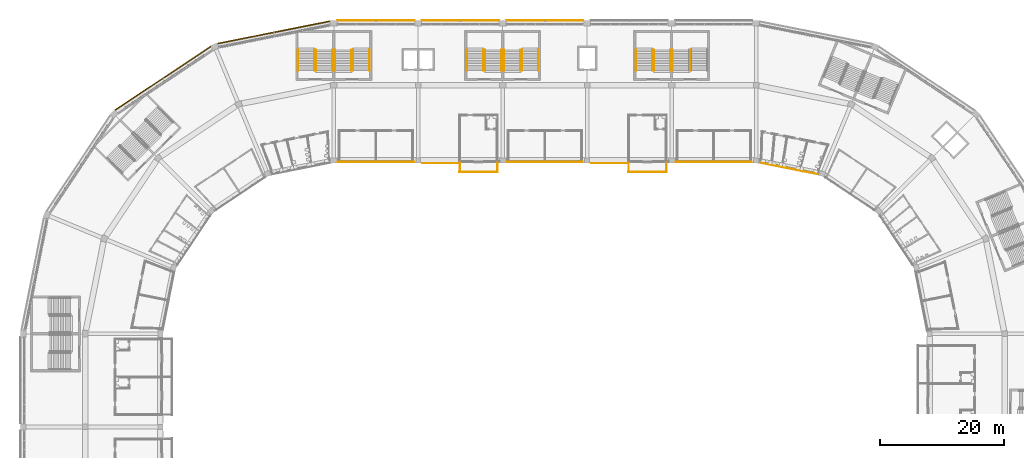
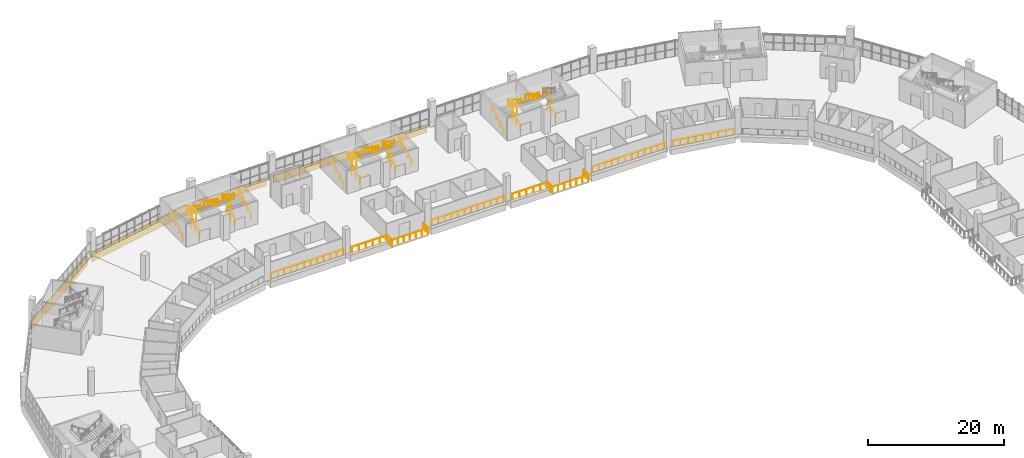
# One storey, part 190 of 199: 45 railings, 5 coverings.
"""IFC4 building model written with IfcOpenShell, lengths in metres."""

from ifc_helpers import new_model, si_unit, direction, frame, origin, origin_2d, place, context, subcontext, project, spatial, polyline, circle, outline, extrude, material, layer, layer_set, type_object, element, save


model = new_model("IFC4")

# Units and contexts
model_context = context("Model", 3, precision=1e-05, world=origin(), true_north=direction((0.0, 1.0)))
body_context = subcontext(model_context, "Body", "Model", "MODEL_VIEW")
ifc_project = project(units=[si_unit("LENGTHUNIT", "METRE"), si_unit("AREAUNIT", "SQUARE_METRE"), si_unit("VOLUMEUNIT", "CUBIC_METRE"), si_unit("PLANEANGLEUNIT", "RADIAN"), si_unit("MASSUNIT", "GRAM", prefix="KILO")], contexts=[model_context])

# Site, building, storey
site_placement = place(None, origin())
site = spatial("IfcSite", under=ifc_project, at=site_placement, CompositionType="ELEMENT")
building_placement = place(site_placement, origin())
building = spatial("IfcBuilding", under=site, at=building_placement, Name="Ogive Plaza Stadium", CompositionType="ELEMENT")
storey_placement = place(building_placement, frame((0.0, 0.0, 9.0)))
storey = spatial("IfcBuildingStorey", under=building, at=storey_placement, Name="L02", CompositionType="ELEMENT", Elevation=9.0)

# Railings
ifc_material_1 = material(Name="Steel ASTM A572 Grade 50", Category="steel")
railing_type_1 = type_object("IfcRailingType", Name="Guard 1100", PredefinedType="GUARDRAIL", material=ifc_material_1)
for number, where, name in (
    (1, (-31.02490234375, 94.85009765625, 0.0), "Stair well guard ST32A L02"),
    (2, (-31.02490234375, 95.81005859375, 2.25), "Stair well guard ST32A L02"),
    (3, (-36.97509765625, 94.85009765625, 0.0), "Stair well guard ST32B L02"),
    (4, (-36.97509765625, 95.81005859375, 2.25), "Stair well guard ST32B L02"),
    (5, (-3.824951171875, 94.85009765625, 0.0), "Stair well guard ST34A L02"),
    (6, (-3.824951171875, 95.81005859375, 2.25), "Stair well guard ST34A L02"),
    (7, (-9.77490234375, 94.85009765625, 0.0), "Stair well guard ST34B L02"),
    (8, (-9.77490234375, 95.81005859375, 2.25), "Stair well guard ST34B L02"),
    (9, (23.375, 94.85009765625, 0.0), "Stair well guard ST36A L02"),
    (10, (23.375, 95.81005859375, 2.25), "Stair well guard ST36A L02"),
    (11, (17.425048828125, 94.85009765625, 0.0), "Stair well guard ST36B L02"),
    (12, (17.425048828125, 95.81005859375, 2.25), "Stair well guard ST36B L02"),
):
    element("IfcRailing", number, at=place(storey_placement, frame(where)), inside=storey, type_object=railing_type_1, Name=name, PredefinedType="GUARDRAIL", context=body_context, shape_type="SweptSolid", body=[
        extrude(circle(Radius=0.02392578125, at=origin_2d()), frame((0.0, 0.0, 1.076171875), z_axis=(0.0, 1.0, 0.0), x_axis=(-1.0, 0.0, 0.0)), (0.0, 0.0, 1.0), 2.39990234375),
        extrude(circle(Radius=0.02099609375, at=origin_2d()), origin(), (0.0, 0.0, 1.0), 1.052001953125),
        extrude(circle(Radius=0.02099609375, at=origin_2d()), frame((0.0, 1.199951171875, 0.0)), (0.0, 0.0, 1.0), 1.052001953125),
        extrude(circle(Radius=0.02099609375, at=origin_2d()), frame((0.0, 2.39990234375, 0.0)), (0.0, 0.0, 1.0), 1.052001953125),
    ])
railing_1_placement = place(storey_placement, frame((-33.300048828125, 80.14990234375, 0.0)))
element("IfcRailing", 13, at=railing_1_placement, inside=storey, type_object=railing_type_1, Name="Guard L02 B32", PredefinedType="GUARDRAIL", context=body_context, shape_type="SweptSolid", body=[
    extrude(circle(Radius=0.02392578125, at=origin_2d()), frame((0.0, 0.0, 1.076171875), z_axis=(1.0, 0.0, 0.0), x_axis=(0.0, 1.0, 0.0)), (0.0, 0.0, 1.0), 12.199951171875),
    extrude(circle(Radius=0.02099609375, at=origin_2d()), origin(), (0.0, 0.0, 1.0), 1.052001953125),
    extrude(circle(Radius=0.02099609375, at=origin_2d()), frame((1.109130859375, 0.0, 0.0)), (0.0, 0.0, 1.0), 1.052001953125),
    extrude(circle(Radius=0.02099609375, at=origin_2d()), frame((2.21826171875, 0.0, 0.0)), (0.0, 0.0, 1.0), 1.052001953125),
    extrude(circle(Radius=0.02099609375, at=origin_2d()), frame((3.3271484375, 0.0, 0.0)), (0.0, 0.0, 1.0), 1.052001953125),
    extrude(circle(Radius=0.02099609375, at=origin_2d()), frame((4.436279296875, 0.0, 0.0)), (0.0, 0.0, 1.0), 1.052001953125),
    extrude(circle(Radius=0.02099609375, at=origin_2d()), frame((5.54541015625, 0.0, 0.0)), (0.0, 0.0, 1.0), 1.052001953125),
    extrude(circle(Radius=0.02099609375, at=origin_2d()), frame((6.654541015625, 0.0, 0.0)), (0.0, 0.0, 1.0), 1.052001953125),
    extrude(circle(Radius=0.02099609375, at=origin_2d()), frame((7.763671875, 0.0, 0.0)), (0.0, 0.0, 1.0), 1.052001953125),
    extrude(circle(Radius=0.02099609375, at=origin_2d()), frame((8.872802734375, 0.0, 0.0)), (0.0, 0.0, 1.0), 1.052001953125),
    extrude(circle(Radius=0.02099609375, at=origin_2d()), frame((9.981689453125, 0.0, 0.0)), (0.0, 0.0, 1.0), 1.052001953125),
    extrude(circle(Radius=0.02099609375, at=origin_2d()), frame((11.0908203125, 0.0, 0.0)), (0.0, 0.0, 1.0), 1.052001953125),
    extrude(circle(Radius=0.02099609375, at=origin_2d()), frame((12.199951171875, 0.0, 0.0)), (0.0, 0.0, 1.0), 1.052001953125),
])
railing_2_placement = place(storey_placement, frame((-6.10009765625, 80.14990234375, 0.0)))
element("IfcRailing", 14, at=railing_2_placement, inside=storey, type_object=railing_type_1, Name="Guard L02 B34", PredefinedType="GUARDRAIL", context=body_context, shape_type="SweptSolid", body=[
    extrude(circle(Radius=0.02392578125, at=origin_2d()), frame((0.0, 0.0, 1.076171875), z_axis=(1.0, 0.0, 0.0), x_axis=(0.0, 1.0, 0.0)), (0.0, 0.0, 1.0), 12.2001953125),
    extrude(circle(Radius=0.02099609375, at=origin_2d()), origin(), (0.0, 0.0, 1.0), 1.052001953125),
    extrude(circle(Radius=0.02099609375, at=origin_2d()), frame((1.109130859375, 0.0, 0.0)), (0.0, 0.0, 1.0), 1.052001953125),
    extrude(circle(Radius=0.02099609375, at=origin_2d()), frame((2.21826171875, 0.0, 0.0)), (0.0, 0.0, 1.0), 1.052001953125),
    extrude(circle(Radius=0.02099609375, at=origin_2d()), frame((3.327392578125, 0.0, 0.0)), (0.0, 0.0, 1.0), 1.052001953125),
    extrude(circle(Radius=0.02099609375, at=origin_2d()), frame((4.4365234375, 0.0, 0.0)), (0.0, 0.0, 1.0), 1.052001953125),
    extrude(circle(Radius=0.02099609375, at=origin_2d()), frame((5.545654296875, 0.0, 0.0)), (0.0, 0.0, 1.0), 1.052001953125),
    extrude(circle(Radius=0.02099609375, at=origin_2d()), frame((6.654541015625, 0.0, 0.0)), (0.0, 0.0, 1.0), 1.052001953125),
    extrude(circle(Radius=0.02099609375, at=origin_2d()), frame((7.763671875, 0.0, 0.0)), (0.0, 0.0, 1.0), 1.052001953125),
    extrude(circle(Radius=0.02099609375, at=origin_2d()), frame((8.872802734375, 0.0, 0.0)), (0.0, 0.0, 1.0), 1.052001953125),
    extrude(circle(Radius=0.02099609375, at=origin_2d()), frame((9.98193359375, 0.0, 0.0)), (0.0, 0.0, 1.0), 1.052001953125),
    extrude(circle(Radius=0.02099609375, at=origin_2d()), frame((11.091064453125, 0.0, 0.0)), (0.0, 0.0, 1.0), 1.052001953125),
    extrude(circle(Radius=0.02099609375, at=origin_2d()), frame((12.2001953125, 0.0, 0.0)), (0.0, 0.0, 1.0), 1.052001953125),
])
railing_3_placement = place(storey_placement, frame((21.10009765625, 80.14990234375, 0.0)))
element("IfcRailing", 15, at=railing_3_placement, inside=storey, type_object=railing_type_1, Name="Guard L02 B36", PredefinedType="GUARDRAIL", context=body_context, shape_type="SweptSolid", body=[
    extrude(circle(Radius=0.02392578125, at=origin_2d()), frame((0.0, 0.0, 1.076171875), z_axis=(1.0, 0.0, 0.0), x_axis=(0.0, 1.0, 0.0)), (0.0, 0.0, 1.0), 12.199951171875),
    extrude(circle(Radius=0.02099609375, at=origin_2d()), origin(), (0.0, 0.0, 1.0), 1.052001953125),
    extrude(circle(Radius=0.02099609375, at=origin_2d()), frame((1.109130859375, 0.0, 0.0)), (0.0, 0.0, 1.0), 1.052001953125),
    extrude(circle(Radius=0.02099609375, at=origin_2d()), frame((2.21826171875, 0.0, 0.0)), (0.0, 0.0, 1.0), 1.052001953125),
    extrude(circle(Radius=0.02099609375, at=origin_2d()), frame((3.3271484375, 0.0, 0.0)), (0.0, 0.0, 1.0), 1.052001953125),
    extrude(circle(Radius=0.02099609375, at=origin_2d()), frame((4.436279296875, 0.0, 0.0)), (0.0, 0.0, 1.0), 1.052001953125),
    extrude(circle(Radius=0.02099609375, at=origin_2d()), frame((5.54541015625, 0.0, 0.0)), (0.0, 0.0, 1.0), 1.052001953125),
    extrude(circle(Radius=0.02099609375, at=origin_2d()), frame((6.654541015625, 0.0, 0.0)), (0.0, 0.0, 1.0), 1.052001953125),
    extrude(circle(Radius=0.02099609375, at=origin_2d()), frame((7.763671875, 0.0, 0.0)), (0.0, 0.0, 1.0), 1.052001953125),
    extrude(circle(Radius=0.02099609375, at=origin_2d()), frame((8.872802734375, 0.0, 0.0)), (0.0, 0.0, 1.0), 1.052001953125),
    extrude(circle(Radius=0.02099609375, at=origin_2d()), frame((9.981689453125, 0.0, 0.0)), (0.0, 0.0, 1.0), 1.052001953125),
    extrude(circle(Radius=0.02099609375, at=origin_2d()), frame((11.0908203125, 0.0, 0.0)), (0.0, 0.0, 1.0), 1.052001953125),
    extrude(circle(Radius=0.02099609375, at=origin_2d()), frame((12.199951171875, 0.0, 0.0)), (0.0, 0.0, 1.0), 1.052001953125),
])
railing_4_placement = place(storey_placement, frame((34.6865234375, 80.013427734375, 0.0)))
element("IfcRailing", 16, at=railing_4_placement, inside=storey, type_object=railing_type_1, Name="Guard L02 B37", PredefinedType="GUARDRAIL", context=body_context, shape_type="SweptSolid", body=[
    extrude(circle(Radius=0.02392578125, at=origin_2d()), frame((0.0, 0.0, 1.076171875), z_axis=(0.980786170296, -0.19508584817, 0.0), x_axis=(0.19508584817, 0.980786170296, 0.0)), (0.0, 0.0, 1.0), 9.388427734375),
    extrude(circle(Radius=0.02099609375, at=origin_2d()), origin(), (0.0, 0.0, 1.0), 1.052001953125),
    extrude(circle(Radius=0.02099609375, at=origin_2d()), frame((1.15087890625, -0.22900390625, 0.0)), (0.0, 0.0, 1.0), 1.052001953125),
    extrude(circle(Radius=0.02099609375, at=origin_2d()), frame((2.302001953125, -0.4580078125, 0.0)), (0.0, 0.0, 1.0), 1.052001953125),
    extrude(circle(Radius=0.02099609375, at=origin_2d()), frame((3.453125, -0.686767578125, 0.0)), (0.0, 0.0, 1.0), 1.052001953125),
    extrude(circle(Radius=0.02099609375, at=origin_2d()), frame((4.60400390625, -0.915771484375, 0.0)), (0.0, 0.0, 1.0), 1.052001953125),
    extrude(circle(Radius=0.02099609375, at=origin_2d()), frame((5.7548828125, -1.144775390625, 0.0)), (0.0, 0.0, 1.0), 1.052001953125),
    extrude(circle(Radius=0.02099609375, at=origin_2d()), frame((6.906005859375, -1.37353515625, 0.0)), (0.0, 0.0, 1.0), 1.052001953125),
    extrude(circle(Radius=0.02099609375, at=origin_2d()), frame((8.05712890625, -1.6025390625, 0.0)), (0.0, 0.0, 1.0), 1.052001953125),
    extrude(circle(Radius=0.02099609375, at=origin_2d()), frame((9.2080078125, -1.83154296875, 0.0)), (0.0, 0.0, 1.0), 1.052001953125),
])
railing_5_placement = place(storey_placement, frame((-7.625, 78.550048828125, 0.0)))
element("IfcRailing", 17, at=railing_5_placement, inside=storey, type_object=railing_type_1, Name="Terrace guard B33", PredefinedType="GUARDRAIL", context=body_context, shape_type="SweptSolid", body=[
    extrude(circle(Radius=0.02392578125, at=origin_2d()), frame((0.0, 0.0, 1.076171875), z_axis=(-1.0, 0.0, 0.0), x_axis=(0.0, -1.0, 0.0)), (0.0, 0.0, 1.0), 6.14990234375),
    extrude(circle(Radius=0.02099609375, at=origin_2d()), origin(), (0.0, 0.0, 1.0), 1.052001953125),
    extrude(circle(Radius=0.02099609375, at=origin_2d()), frame((-1.02490234375, 0.0, 0.0)), (0.0, 0.0, 1.0), 1.052001953125),
    extrude(circle(Radius=0.02099609375, at=origin_2d()), frame((-2.050048828125, 0.0, 0.0)), (0.0, 0.0, 1.0), 1.052001953125),
    extrude(circle(Radius=0.02099609375, at=origin_2d()), frame((-3.074951171875, 0.0, 0.0)), (0.0, 0.0, 1.0), 1.052001953125),
    extrude(circle(Radius=0.02099609375, at=origin_2d()), frame((-4.099853515625, 0.0, 0.0)), (0.0, 0.0, 1.0), 1.052001953125),
    extrude(circle(Radius=0.02099609375, at=origin_2d()), frame((-5.125, 0.0, 0.0)), (0.0, 0.0, 1.0), 1.052001953125),
    extrude(circle(Radius=0.02099609375, at=origin_2d()), frame((-6.14990234375, 0.0, 0.0)), (0.0, 0.0, 1.0), 1.052001953125),
])
railing_6_placement = place(storey_placement, frame((-13.77490234375, 79.949951171875, 0.0)))
element("IfcRailing", 18, at=railing_6_placement, inside=storey, type_object=railing_type_1, Name="Floor edge guard B33", PredefinedType="GUARDRAIL", context=body_context, shape_type="SweptSolid", body=[
    extrude(circle(Radius=0.02392578125, at=origin_2d()), frame((0.0, 0.0, 1.076171875), z_axis=(-1.0, 0.0, 0.0), x_axis=(0.0, -1.0, 0.0)), (0.0, 0.0, 1.0), 5.925048828125),
    extrude(circle(Radius=0.02099609375, at=origin_2d()), origin(), (0.0, 0.0, 1.0), 1.052001953125),
    extrude(circle(Radius=0.02099609375, at=origin_2d()), frame((-1.18505859375, 0.0, 0.0)), (0.0, 0.0, 1.0), 1.052001953125),
    extrude(circle(Radius=0.02099609375, at=origin_2d()), frame((-2.3701171875, 0.0, 0.0)), (0.0, 0.0, 1.0), 1.052001953125),
    extrude(circle(Radius=0.02099609375, at=origin_2d()), frame((-3.554931640625, 0.0, 0.0)), (0.0, 0.0, 1.0), 1.052001953125),
    extrude(circle(Radius=0.02099609375, at=origin_2d()), frame((-4.739990234375, 0.0, 0.0)), (0.0, 0.0, 1.0), 1.052001953125),
    extrude(circle(Radius=0.02099609375, at=origin_2d()), frame((-5.925048828125, 0.0, 0.0)), (0.0, 0.0, 1.0), 1.052001953125),
])
for number, where, name in (
    (19, (-7.625, 78.550048828125, 0.0), "Terrace screen B33"),
    (20, (-13.699951171875, 78.550048828125, 0.0), "Terrace screen B33"),
):
    element("IfcRailing", number, at=place(storey_placement, frame(where)), inside=storey, type_object=railing_type_1, Name=name, PredefinedType="GUARDRAIL", context=body_context, shape_type="SweptSolid", body=[
        extrude(circle(Radius=0.02392578125, at=origin_2d()), frame((0.0, 0.0, 1.076171875), z_axis=(0.0, 1.0, 0.0), x_axis=(-1.0, 0.0, 0.0)), (0.0, 0.0, 1.0), 1.449951171875),
        extrude(circle(Radius=0.02099609375, at=origin_2d()), origin(), (0.0, 0.0, 1.0), 1.052001953125),
        extrude(circle(Radius=0.02099609375, at=origin_2d()), frame((0.0, 0.72509765625, 0.0)), (0.0, 0.0, 1.0), 1.052001953125),
        extrude(circle(Radius=0.02099609375, at=origin_2d()), frame((0.0, 1.449951171875, 0.0)), (0.0, 0.0, 1.0), 1.052001953125),
    ])
railing_7_placement = place(storey_placement, frame((19.574951171875, 78.550048828125, 0.0)))
element("IfcRailing", 21, at=railing_7_placement, inside=storey, type_object=railing_type_1, Name="Terrace guard B35", PredefinedType="GUARDRAIL", context=body_context, shape_type="SweptSolid", body=[
    extrude(circle(Radius=0.02392578125, at=origin_2d()), frame((0.0, 0.0, 1.076171875), z_axis=(-1.0, 0.0, 0.0), x_axis=(0.0, -1.0, 0.0)), (0.0, 0.0, 1.0), 6.14990234375),
    extrude(circle(Radius=0.02099609375, at=origin_2d()), origin(), (0.0, 0.0, 1.0), 1.052001953125),
    extrude(circle(Radius=0.02099609375, at=origin_2d()), frame((-1.02490234375, 0.0, 0.0)), (0.0, 0.0, 1.0), 1.052001953125),
    extrude(circle(Radius=0.02099609375, at=origin_2d()), frame((-2.050048828125, 0.0, 0.0)), (0.0, 0.0, 1.0), 1.052001953125),
    extrude(circle(Radius=0.02099609375, at=origin_2d()), frame((-3.074951171875, 0.0, 0.0)), (0.0, 0.0, 1.0), 1.052001953125),
    extrude(circle(Radius=0.02099609375, at=origin_2d()), frame((-4.099853515625, 0.0, 0.0)), (0.0, 0.0, 1.0), 1.052001953125),
    extrude(circle(Radius=0.02099609375, at=origin_2d()), frame((-5.125, 0.0, 0.0)), (0.0, 0.0, 1.0), 1.052001953125),
    extrude(circle(Radius=0.02099609375, at=origin_2d()), frame((-6.14990234375, 0.0, 0.0)), (0.0, 0.0, 1.0), 1.052001953125),
])
railing_8_placement = place(storey_placement, frame((13.425048828125, 79.949951171875, 0.0)))
element("IfcRailing", 22, at=railing_8_placement, inside=storey, type_object=railing_type_1, Name="Floor edge guard B35", PredefinedType="GUARDRAIL", context=body_context, shape_type="SweptSolid", body=[
    extrude(circle(Radius=0.02392578125, at=origin_2d()), frame((0.0, 0.0, 1.076171875), z_axis=(-1.0, 0.0, 0.0), x_axis=(0.0, -1.0, 0.0)), (0.0, 0.0, 1.0), 5.925048828125),
    extrude(circle(Radius=0.02099609375, at=origin_2d()), origin(), (0.0, 0.0, 1.0), 1.052001953125),
    extrude(circle(Radius=0.02099609375, at=origin_2d()), frame((-1.18505859375, 0.0, 0.0)), (0.0, 0.0, 1.0), 1.052001953125),
    extrude(circle(Radius=0.02099609375, at=origin_2d()), frame((-2.3701171875, 0.0, 0.0)), (0.0, 0.0, 1.0), 1.052001953125),
    extrude(circle(Radius=0.02099609375, at=origin_2d()), frame((-3.554931640625, 0.0, 0.0)), (0.0, 0.0, 1.0), 1.052001953125),
    extrude(circle(Radius=0.02099609375, at=origin_2d()), frame((-4.739990234375, 0.0, 0.0)), (0.0, 0.0, 1.0), 1.052001953125),
    extrude(circle(Radius=0.02099609375, at=origin_2d()), frame((-5.925048828125, 0.0, 0.0)), (0.0, 0.0, 1.0), 1.052001953125),
])
for number, where, name in (
    (23, (19.574951171875, 78.550048828125, 0.0), "Terrace screen B35"),
    (24, (13.5, 78.550048828125, 0.0), "Terrace screen B35"),
):
    element("IfcRailing", number, at=place(storey_placement, frame(where)), inside=storey, type_object=railing_type_1, Name=name, PredefinedType="GUARDRAIL", context=body_context, shape_type="SweptSolid", body=[
        extrude(circle(Radius=0.02392578125, at=origin_2d()), frame((0.0, 0.0, 1.076171875), z_axis=(0.0, 1.0, 0.0), x_axis=(-1.0, 0.0, 0.0)), (0.0, 0.0, 1.0), 1.449951171875),
        extrude(circle(Radius=0.02099609375, at=origin_2d()), origin(), (0.0, 0.0, 1.0), 1.052001953125),
        extrude(circle(Radius=0.02099609375, at=origin_2d()), frame((0.0, 0.72509765625, 0.0)), (0.0, 0.0, 1.0), 1.052001953125),
        extrude(circle(Radius=0.02099609375, at=origin_2d()), frame((0.0, 1.449951171875, 0.0)), (0.0, 0.0, 1.0), 1.052001953125),
    ])
ifc_material_2 = material(Name="Steel ASTM A572 Grade 50", Category="steel")
railing_type_2 = type_object("IfcRailingType", Name="Handrail 900", PredefinedType="HANDRAIL", material=ifc_material_2)
for number, where, name in (
    (25, (-28.235107421875, 94.85009765625, 0.173095703125), "Handrail ST32A L02"),
    (26, (-30.9150390625, 94.85009765625, 0.173095703125), "Handrail ST32A L02"),
):
    element("IfcRailing", number, at=place(storey_placement, frame(where)), inside=storey, type_object=railing_type_2, Name=name, PredefinedType="HANDRAIL", context=body_context, shape_type="SweptSolid", body=[
        extrude(circle(Radius=0.02392578125, at=origin_2d()), frame((0.0, 0.0, 0.8759765625), z_axis=(0.0, 0.850606129759, 0.525803396734), x_axis=(-1.0, 0.0, 0.0)), (0.0, 0.0, 1.0), 3.949951171875),
        extrude(circle(Radius=0.02099609375, at=origin_2d()), origin(), (0.0, 0.0, 1.0), 0.851806640625),
        extrude(circle(Radius=0.02099609375, at=origin_2d()), frame((0.0, 1.119873046875, 0.6923828125)), (0.0, 0.0, 1.0), 0.851806640625),
        extrude(circle(Radius=0.02099609375, at=origin_2d()), frame((0.0, 2.239990234375, 1.384521484375)), (0.0, 0.0, 1.0), 0.851806640625),
        extrude(circle(Radius=0.02099609375, at=origin_2d()), frame((0.0, 3.35986328125, 2.076904296875)), (0.0, 0.0, 1.0), 1.10009765625),
    ])
for number, where, name in (
    (27, (-31.135009765625, 98.2099609375, 2.423095703125), "Handrail ST32A L02"),
    (28, (-33.81494140625, 98.2099609375, 2.423095703125), "Handrail ST32A L02"),
):
    element("IfcRailing", number, at=place(storey_placement, frame(where)), inside=storey, type_object=railing_type_2, Name=name, PredefinedType="HANDRAIL", context=body_context, shape_type="SweptSolid", body=[
        extrude(circle(Radius=0.02392578125, at=origin_2d()), frame((0.0, 0.0, 0.8759765625), z_axis=(0.0, -0.850606129759, 0.525803396734), x_axis=(1.0, 0.0, 0.0)), (0.0, 0.0, 1.0), 3.949951171875),
        extrude(circle(Radius=0.02099609375, at=origin_2d()), origin(), (0.0, 0.0, 1.0), 0.851806640625),
        extrude(circle(Radius=0.02099609375, at=origin_2d()), frame((0.0, -1.119873046875, 0.6923828125)), (0.0, 0.0, 1.0), 0.851806640625),
        extrude(circle(Radius=0.02099609375, at=origin_2d()), frame((0.0, -2.239990234375, 1.384521484375)), (0.0, 0.0, 1.0), 0.851806640625),
        extrude(circle(Radius=0.02099609375, at=origin_2d()), frame((0.0, -3.35986328125, 2.076904296875)), (0.0, 0.0, 1.0), 1.10009765625),
    ])
for number, where, name in (
    (29, (-37.0849609375, 94.85009765625, 0.173095703125), "Handrail ST32B L02"),
    (30, (-39.764892578125, 94.85009765625, 0.173095703125), "Handrail ST32B L02"),
):
    element("IfcRailing", number, at=place(storey_placement, frame(where)), inside=storey, type_object=railing_type_2, Name=name, PredefinedType="HANDRAIL", context=body_context, shape_type="SweptSolid", body=[
        extrude(circle(Radius=0.02392578125, at=origin_2d()), frame((0.0, 0.0, 0.8759765625), z_axis=(0.0, 0.850606129759, 0.525803396734), x_axis=(-1.0, 0.0, 0.0)), (0.0, 0.0, 1.0), 3.949951171875),
        extrude(circle(Radius=0.02099609375, at=origin_2d()), origin(), (0.0, 0.0, 1.0), 0.851806640625),
        extrude(circle(Radius=0.02099609375, at=origin_2d()), frame((0.0, 1.119873046875, 0.6923828125)), (0.0, 0.0, 1.0), 0.851806640625),
        extrude(circle(Radius=0.02099609375, at=origin_2d()), frame((0.0, 2.239990234375, 1.384521484375)), (0.0, 0.0, 1.0), 0.851806640625),
        extrude(circle(Radius=0.02099609375, at=origin_2d()), frame((0.0, 3.35986328125, 2.076904296875)), (0.0, 0.0, 1.0), 1.10009765625),
    ])
for number, where, name in (
    (31, (-34.18505859375, 98.2099609375, 2.423095703125), "Handrail ST32B L02"),
    (32, (-36.864990234375, 98.2099609375, 2.423095703125), "Handrail ST32B L02"),
):
    element("IfcRailing", number, at=place(storey_placement, frame(where)), inside=storey, type_object=railing_type_2, Name=name, PredefinedType="HANDRAIL", context=body_context, shape_type="SweptSolid", body=[
        extrude(circle(Radius=0.02392578125, at=origin_2d()), frame((0.0, 0.0, 0.8759765625), z_axis=(0.0, -0.850606129759, 0.525803396734), x_axis=(1.0, 0.0, 0.0)), (0.0, 0.0, 1.0), 3.949951171875),
        extrude(circle(Radius=0.02099609375, at=origin_2d()), origin(), (0.0, 0.0, 1.0), 0.851806640625),
        extrude(circle(Radius=0.02099609375, at=origin_2d()), frame((0.0, -1.119873046875, 0.6923828125)), (0.0, 0.0, 1.0), 0.851806640625),
        extrude(circle(Radius=0.02099609375, at=origin_2d()), frame((0.0, -2.239990234375, 1.384521484375)), (0.0, 0.0, 1.0), 0.851806640625),
        extrude(circle(Radius=0.02099609375, at=origin_2d()), frame((0.0, -3.35986328125, 2.076904296875)), (0.0, 0.0, 1.0), 1.10009765625),
    ])
for number, where, name in (
    (33, (-1.034912109375, 94.85009765625, 0.173095703125), "Handrail ST34A L02"),
    (34, (-3.715087890625, 94.85009765625, 0.173095703125), "Handrail ST34A L02"),
):
    element("IfcRailing", number, at=place(storey_placement, frame(where)), inside=storey, type_object=railing_type_2, Name=name, PredefinedType="HANDRAIL", context=body_context, shape_type="SweptSolid", body=[
        extrude(circle(Radius=0.02392578125, at=origin_2d()), frame((0.0, 0.0, 0.8759765625), z_axis=(0.0, 0.850606129759, 0.525803396734), x_axis=(-1.0, 0.0, 0.0)), (0.0, 0.0, 1.0), 3.949951171875),
        extrude(circle(Radius=0.02099609375, at=origin_2d()), origin(), (0.0, 0.0, 1.0), 0.851806640625),
        extrude(circle(Radius=0.02099609375, at=origin_2d()), frame((0.0, 1.119873046875, 0.6923828125)), (0.0, 0.0, 1.0), 0.851806640625),
        extrude(circle(Radius=0.02099609375, at=origin_2d()), frame((0.0, 2.239990234375, 1.384521484375)), (0.0, 0.0, 1.0), 0.851806640625),
        extrude(circle(Radius=0.02099609375, at=origin_2d()), frame((0.0, 3.35986328125, 2.076904296875)), (0.0, 0.0, 1.0), 1.10009765625),
    ])
for number, where, name in (
    (35, (-3.93505859375, 98.2099609375, 2.423095703125), "Handrail ST34A L02"),
    (36, (-6.614990234375, 98.2099609375, 2.423095703125), "Handrail ST34A L02"),
):
    element("IfcRailing", number, at=place(storey_placement, frame(where)), inside=storey, type_object=railing_type_2, Name=name, PredefinedType="HANDRAIL", context=body_context, shape_type="SweptSolid", body=[
        extrude(circle(Radius=0.02392578125, at=origin_2d()), frame((0.0, 0.0, 0.8759765625), z_axis=(0.0, -0.850606129759, 0.525803396734), x_axis=(1.0, 0.0, 0.0)), (0.0, 0.0, 1.0), 3.949951171875),
        extrude(circle(Radius=0.02099609375, at=origin_2d()), origin(), (0.0, 0.0, 1.0), 0.851806640625),
        extrude(circle(Radius=0.02099609375, at=origin_2d()), frame((0.0, -1.119873046875, 0.6923828125)), (0.0, 0.0, 1.0), 0.851806640625),
        extrude(circle(Radius=0.02099609375, at=origin_2d()), frame((0.0, -2.239990234375, 1.384521484375)), (0.0, 0.0, 1.0), 0.851806640625),
        extrude(circle(Radius=0.02099609375, at=origin_2d()), frame((0.0, -3.35986328125, 2.076904296875)), (0.0, 0.0, 1.0), 1.10009765625),
    ])
for number, where, name in (
    (37, (-9.885009765625, 94.85009765625, 0.173095703125), "Handrail ST34B L02"),
    (38, (-12.56494140625, 94.85009765625, 0.173095703125), "Handrail ST34B L02"),
):
    element("IfcRailing", number, at=place(storey_placement, frame(where)), inside=storey, type_object=railing_type_2, Name=name, PredefinedType="HANDRAIL", context=body_context, shape_type="SweptSolid", body=[
        extrude(circle(Radius=0.02392578125, at=origin_2d()), frame((0.0, 0.0, 0.8759765625), z_axis=(0.0, 0.850606129759, 0.525803396734), x_axis=(-1.0, 0.0, 0.0)), (0.0, 0.0, 1.0), 3.949951171875),
        extrude(circle(Radius=0.02099609375, at=origin_2d()), origin(), (0.0, 0.0, 1.0), 0.851806640625),
        extrude(circle(Radius=0.02099609375, at=origin_2d()), frame((0.0, 1.119873046875, 0.6923828125)), (0.0, 0.0, 1.0), 0.851806640625),
        extrude(circle(Radius=0.02099609375, at=origin_2d()), frame((0.0, 2.239990234375, 1.384521484375)), (0.0, 0.0, 1.0), 0.851806640625),
        extrude(circle(Radius=0.02099609375, at=origin_2d()), frame((0.0, 3.35986328125, 2.076904296875)), (0.0, 0.0, 1.0), 1.10009765625),
    ])
for number, where, name in (
    (39, (-6.985107421875, 98.2099609375, 2.423095703125), "Handrail ST34B L02"),
    (40, (-9.6650390625, 98.2099609375, 2.423095703125), "Handrail ST34B L02"),
    (41, (20.5849609375, 98.2099609375, 2.423095703125), "Handrail ST36A L02"),
):
    element("IfcRailing", number, at=place(storey_placement, frame(where)), inside=storey, type_object=railing_type_2, Name=name, PredefinedType="HANDRAIL", context=body_context, shape_type="SweptSolid", body=[
        extrude(circle(Radius=0.02392578125, at=origin_2d()), frame((0.0, 0.0, 0.8759765625), z_axis=(0.0, -0.850606129759, 0.525803396734), x_axis=(1.0, 0.0, 0.0)), (0.0, 0.0, 1.0), 3.949951171875),
        extrude(circle(Radius=0.02099609375, at=origin_2d()), origin(), (0.0, 0.0, 1.0), 0.851806640625),
        extrude(circle(Radius=0.02099609375, at=origin_2d()), frame((0.0, -1.119873046875, 0.6923828125)), (0.0, 0.0, 1.0), 0.851806640625),
        extrude(circle(Radius=0.02099609375, at=origin_2d()), frame((0.0, -2.239990234375, 1.384521484375)), (0.0, 0.0, 1.0), 0.851806640625),
        extrude(circle(Radius=0.02099609375, at=origin_2d()), frame((0.0, -3.35986328125, 2.076904296875)), (0.0, 0.0, 1.0), 1.10009765625),
    ])
for number, where, name in (
    (42, (17.31494140625, 94.85009765625, 0.173095703125), "Handrail ST36B L02"),
    (43, (14.635009765625, 94.85009765625, 0.173095703125), "Handrail ST36B L02"),
):
    element("IfcRailing", number, at=place(storey_placement, frame(where)), inside=storey, type_object=railing_type_2, Name=name, PredefinedType="HANDRAIL", context=body_context, shape_type="SweptSolid", body=[
        extrude(circle(Radius=0.02392578125, at=origin_2d()), frame((0.0, 0.0, 0.8759765625), z_axis=(0.0, 0.850606129759, 0.525803396734), x_axis=(-1.0, 0.0, 0.0)), (0.0, 0.0, 1.0), 3.949951171875),
        extrude(circle(Radius=0.02099609375, at=origin_2d()), origin(), (0.0, 0.0, 1.0), 0.851806640625),
        extrude(circle(Radius=0.02099609375, at=origin_2d()), frame((0.0, 1.119873046875, 0.6923828125)), (0.0, 0.0, 1.0), 0.851806640625),
        extrude(circle(Radius=0.02099609375, at=origin_2d()), frame((0.0, 2.239990234375, 1.384521484375)), (0.0, 0.0, 1.0), 0.851806640625),
        extrude(circle(Radius=0.02099609375, at=origin_2d()), frame((0.0, 3.35986328125, 2.076904296875)), (0.0, 0.0, 1.0), 1.10009765625),
    ])
for number, where, name in (
    (44, (20.215087890625, 98.2099609375, 2.423095703125), "Handrail ST36B L02"),
    (45, (17.534912109375, 98.2099609375, 2.423095703125), "Handrail ST36B L02"),
):
    element("IfcRailing", number, at=place(storey_placement, frame(where)), inside=storey, type_object=railing_type_2, Name=name, PredefinedType="HANDRAIL", context=body_context, shape_type="SweptSolid", body=[
        extrude(circle(Radius=0.02392578125, at=origin_2d()), frame((0.0, 0.0, 0.8759765625), z_axis=(0.0, -0.850606129759, 0.525803396734), x_axis=(1.0, 0.0, 0.0)), (0.0, 0.0, 1.0), 3.949951171875),
        extrude(circle(Radius=0.02099609375, at=origin_2d()), origin(), (0.0, 0.0, 1.0), 0.851806640625),
        extrude(circle(Radius=0.02099609375, at=origin_2d()), frame((0.0, -1.119873046875, 0.6923828125)), (0.0, 0.0, 1.0), 0.851806640625),
        extrude(circle(Radius=0.02099609375, at=origin_2d()), frame((0.0, -2.239990234375, 1.384521484375)), (0.0, 0.0, 1.0), 0.851806640625),
        extrude(circle(Radius=0.02099609375, at=origin_2d()), frame((0.0, -3.35986328125, 2.076904296875)), (0.0, 0.0, 1.0), 1.10009765625),
    ])

# Coverings
ifc_material_3 = material(Name="Cast stone (reconstituted limestone)", Category="masonry")
ifc_layer = layer(ifc_material_3, 0.159912109375)
ifc_layer_set = layer_set([ifc_layer], Name="Precast spandrel cladding 160")
covering_type = type_object("IfcCoveringType", Name="Precast spandrel cladding 160", PredefinedType="CLADDING", material=ifc_layer_set)
covering_1_placement = place(storey_placement, frame((0.0, 0.0, -1.7099609375)))
element("IfcCovering", 46, at=covering_1_placement, inside=storey, type_object=covering_type, Name="SPANDREL CLADDING B30 L02", PredefinedType="CLADDING", context=body_context, shape_type="SweptSolid", body=[
    extrude(outline(polyline([(-69.141357421875, 88.419189453125), (-53.737060546875, 98.712158203125), (-53.825927734375, 98.84521484375), (-69.230224609375, 88.55224609375), (-69.141357421875, 88.419189453125)])), origin(), (0.0, 0.0, 1.0), 1.7099609375),
])
covering_2_placement = place(storey_placement, frame((0.0, 0.0, -1.7099609375)))
element("IfcCovering", 47, at=covering_2_placement, inside=storey, type_object=covering_type, Name="SPANDREL CLADDING B31 L02", PredefinedType="CLADDING", context=body_context, shape_type="SweptSolid", body=[
    extrude(outline(polyline([(-52.670654296875, 99.14306640625), (-34.60009765625, 102.737548828125), (-34.631103515625, 102.89453125), (-52.701904296875, 99.300048828125), (-52.670654296875, 99.14306640625)])), origin(), (0.0, 0.0, 1.0), 1.7099609375),
])
covering_3_placement = place(storey_placement, frame((0.0, 0.0, -1.409912109375)))
element("IfcCovering", 48, at=covering_3_placement, inside=storey, type_object=covering_type, Name="SPANDREL CLADDING B32 L02", PredefinedType="CLADDING", context=body_context, shape_type="SweptSolid", body=[
    extrude(outline(polyline([(-33.39990234375, 102.85009765625), (-21.0, 102.85009765625), (-21.0, 103.010009765625), (-33.39990234375, 103.010009765625), (-33.39990234375, 102.85009765625)])), origin(), (0.0, 0.0, 1.0), 1.409912109375),
])
covering_4_placement = place(storey_placement, frame((0.0, 0.0, -1.409912109375)))
element("IfcCovering", 49, at=covering_4_placement, inside=storey, type_object=covering_type, Name="SPANDREL CLADDING B33 L02", PredefinedType="CLADDING", context=body_context, shape_type="SweptSolid", body=[
    extrude(outline(polyline([(-19.800048828125, 102.85009765625), (-7.39990234375, 102.85009765625), (-7.39990234375, 103.010009765625), (-19.800048828125, 103.010009765625), (-19.800048828125, 102.85009765625)])), origin(), (0.0, 0.0, 1.0), 1.409912109375),
])
covering_5_placement = place(storey_placement, frame((0.0, 0.0, -1.409912109375)))
element("IfcCovering", 50, at=covering_5_placement, inside=storey, type_object=covering_type, Name="SPANDREL CLADDING B34 L02", PredefinedType="CLADDING", context=body_context, shape_type="SweptSolid", body=[
    extrude(outline(polyline([(-6.199951171875, 102.85009765625), (6.199951171875, 102.85009765625), (6.199951171875, 103.010009765625), (-6.199951171875, 103.010009765625), (-6.199951171875, 102.85009765625)])), origin(), (0.0, 0.0, 1.0), 1.409912109375),
])

save(model, "model.ifc")
